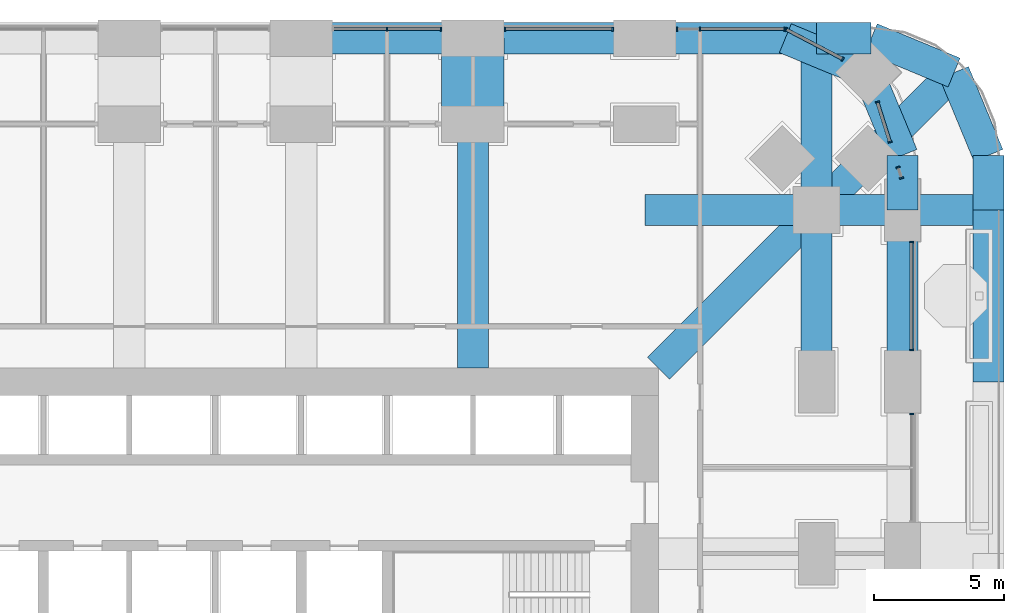
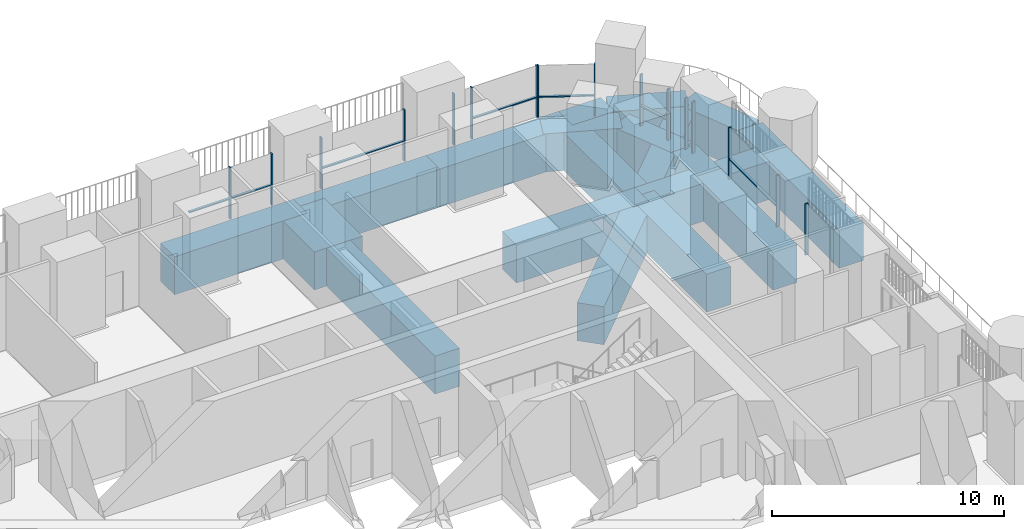
# One storey, part 8 of 27: 23 members, 20 beams, 8 elements without a shape of their own.
"""IFC4 building model written with IfcOpenShell, lengths in metres."""

from ifc_helpers import new_model, si_unit, direction, frame, origin, origin_2d, place, context, subcontext, project, spatial, rectangle, extrude, material, material_profile, profile_set, type_object, element, aggregate, save


model = new_model("IFC4")

# Units and contexts
model_context = context("Model", 3, precision=1e-05, world=origin(), true_north=direction((0.0, 1.0)))
body_context = subcontext(model_context, "Body", "Model", "MODEL_VIEW")
ifc_project = project(units=[si_unit("LENGTHUNIT", "METRE"), si_unit("AREAUNIT", "SQUARE_METRE"), si_unit("VOLUMEUNIT", "CUBIC_METRE"), si_unit("PLANEANGLEUNIT", "RADIAN"), si_unit("MASSUNIT", "GRAM", prefix="KILO")], contexts=[model_context])

# Site, building, storey
site_placement = place(None, origin())
site = spatial("IfcSite", under=ifc_project, at=site_placement, CompositionType="ELEMENT")
building_placement = place(site_placement, origin())
building = spatial("IfcBuilding", under=site, at=building_placement, Name="Cobogo Forest Laboratory Tower", CompositionType="ELEMENT")
storey_placement = place(building_placement, frame((0.0, 0.0, 82.199951171875)))
storey = spatial("IfcBuildingStorey", under=building, at=storey_placement, Name="L18", CompositionType="ELEMENT", Elevation=82.199951171875)

# Curtain wall, member
ifc_material_1 = material(Name="Aluminium curtain wall", Category="aluminium")
curtain_wall_type = type_object("IfcCurtainWallType", Name="CW-1 unitised curtain wall, clear glazing, laboratory floors zones A and B", PredefinedType="USERDEFINED", material=ifc_material_1)
curtain_wall_1_placement = place(storey_placement, origin())
curtain_wall_1 = element("IfcCurtainWall", 1, at=curtain_wall_1_placement, inside=storey, type_object=curtain_wall_type, Name="Curtain wall 13 L18", ObjectType="UNITISED CURTAIN WALL", PredefinedType="USERDEFINED")
ifc_material_2 = material(Name="Aluminium mullion", Category="aluminium")
ifc_material_profile_1 = material_profile(ifc_material_2, rectangle(XDim=0.06005859375, YDim=0.159912109375, at=origin_2d()), Name="AL 60x160")
ifc_profile_set_1 = profile_set([ifc_material_profile_1], Name="Aluminium mullion")
member_type_1 = type_object("IfcMemberType", Name="MU-1 aluminium mullion 60x160", PredefinedType="MULLION", material=ifc_profile_set_1)
member_1_placement = place(storey_placement, frame((49.85009765625, 31.77001953125, 0.0), z_axis=(0.0, 0.0, 1.0), x_axis=(0.0, 1.0, 0.0)))
member_1 = element("IfcMember", 2, at=member_1_placement, type_object=member_type_1, Name="CW-1 mullion 3", PredefinedType="MULLION", context=body_context, shape_type="SweptSolid", body=[
    extrude(rectangle(XDim=0.06005859375, YDim=0.159912109375, at=origin_2d()), origin(), (0.0, 0.0, 1.0), 2.699951171875),
])
aggregate(curtain_wall_1, [member_1])

# Curtain wall, members
curtain_wall_2_placement = place(storey_placement, origin())
curtain_wall_2 = element("IfcCurtainWall", 3, at=curtain_wall_2_placement, inside=storey, type_object=curtain_wall_type, Name="Curtain wall 14 L18", ObjectType="UNITISED CURTAIN WALL", PredefinedType="USERDEFINED")
member_2_placement = place(storey_placement, frame((49.85009765625, 34.22998046875, 0.0), z_axis=(0.0, 0.0, 1.0), x_axis=(0.0, 1.0, 0.0)))
member_2 = element("IfcMember", 4, at=member_2_placement, type_object=member_type_1, Name="CW-1 mullion 1", PredefinedType="MULLION", context=body_context, shape_type="SweptSolid", body=[
    extrude(rectangle(XDim=0.06005859375, YDim=0.159912109375, at=origin_2d()), origin(), (0.0, 0.0, 1.0), 2.699951171875),
])
member_3_placement = place(storey_placement, frame((49.85009765625, 38.3701171875, 0.0), z_axis=(0.0, 0.0, 1.0), x_axis=(0.0, 1.0, 0.0)))
member_3 = element("IfcMember", 5, at=member_3_placement, type_object=member_type_1, Name="CW-1 mullion 2", PredefinedType="MULLION", context=body_context, shape_type="SweptSolid", body=[
    extrude(rectangle(XDim=0.06005859375, YDim=0.159912109375, at=origin_2d()), origin(), (0.0, 0.0, 1.0), 2.699951171875),
])

curtain_wall_3_placement = place(storey_placement, origin())
curtain_wall_3 = element("IfcCurtainWall", 6, at=curtain_wall_3_placement, inside=storey, type_object=curtain_wall_type, Name="Curtain wall 15 L18", ObjectType="UNITISED CURTAIN WALL", PredefinedType="USERDEFINED")
member_4_placement = place(storey_placement, frame((49.4619140625, 40.82861328125, 0.0), z_axis=(0.0, 0.0, 1.0), x_axis=(-0.301134593201, 0.953581646624, 0.0)))
member_4 = element("IfcMember", 7, at=member_4_placement, type_object=member_type_1, Name="CW-1 mullion 1", PredefinedType="MULLION", context=body_context, shape_type="SweptSolid", body=[
    extrude(rectangle(XDim=0.06005859375, YDim=0.159912109375, at=origin_2d()), origin(), (0.0, 0.0, 1.0), 2.699951171875),
])
member_5_placement = place(storey_placement, frame((49.33251953125, 41.23828125, 0.0), z_axis=(0.0, 0.0, 1.0), x_axis=(-0.301134593201, 0.953581646624, 0.0)))
member_5 = element("IfcMember", 8, at=member_5_placement, type_object=member_type_1, Name="CW-1 mullion 2", PredefinedType="MULLION", context=body_context, shape_type="SweptSolid", body=[
    extrude(rectangle(XDim=0.06005859375, YDim=0.159912109375, at=origin_2d()), origin(), (0.0, 0.0, 1.0), 2.699951171875),
])
aggregate(curtain_wall_3, [member_4, member_5])

curtain_wall_4_placement = place(storey_placement, origin())
curtain_wall_4 = element("IfcCurtainWall", 9, at=curtain_wall_4_placement, inside=storey, type_object=curtain_wall_type, Name="Curtain wall 16 L18", ObjectType="UNITISED CURTAIN WALL", PredefinedType="USERDEFINED")
member_6_placement = place(storey_placement, frame((49.023681640625, 42.21630859375, 0.0), z_axis=(0.0, 0.0, 1.0), x_axis=(-0.301135106076, 0.953581484661, 0.0)))
member_6 = element("IfcMember", 10, at=member_6_placement, type_object=member_type_1, Name="CW-1 mullion 1", PredefinedType="MULLION", context=body_context, shape_type="SweptSolid", body=[
    extrude(rectangle(XDim=0.06005859375, YDim=0.159912109375, at=origin_2d()), origin(), (0.0, 0.0, 1.0), 2.699951171875),
])
member_7_placement = place(storey_placement, frame((48.54052734375, 43.746337890625, 0.0), z_axis=(0.0, 0.0, 1.0), x_axis=(-0.301135106076, 0.953581484661, 0.0)))
member_7 = element("IfcMember", 11, at=member_7_placement, type_object=member_type_1, Name="CW-1 mullion 2", PredefinedType="MULLION", context=body_context, shape_type="SweptSolid", body=[
    extrude(rectangle(XDim=0.06005859375, YDim=0.159912109375, at=origin_2d()), origin(), (0.0, 0.0, 1.0), 2.699951171875),
])

curtain_wall_5_placement = place(storey_placement, origin())
curtain_wall_5 = element("IfcCurtainWall", 12, at=curtain_wall_5_placement, inside=storey, type_object=curtain_wall_type, Name="Curtain wall 17 L18", ObjectType="UNITISED CURTAIN WALL", PredefinedType="USERDEFINED")
member_8_placement = place(storey_placement, frame((47.19970703125, 45.39697265625, 0.0), z_axis=(0.0, 0.0, 1.0), x_axis=(-0.885686598126, 0.4642835878, 0.0)))
member_8 = element("IfcMember", 13, at=member_8_placement, type_object=member_type_1, Name="CW-1 mullion 1", PredefinedType="MULLION", context=body_context, shape_type="SweptSolid", body=[
    extrude(rectangle(XDim=0.06005859375, YDim=0.159912109375, at=origin_2d()), origin(), (0.0, 0.0, 1.0), 2.699951171875),
])
member_9_placement = place(storey_placement, frame((45.026611328125, 46.5361328125, 0.0), z_axis=(0.0, 0.0, 1.0), x_axis=(-0.885686598126, 0.4642835878, 0.0)))
member_9 = element("IfcMember", 14, at=member_9_placement, type_object=member_type_1, Name="CW-1 mullion 2", PredefinedType="MULLION", context=body_context, shape_type="SweptSolid", body=[
    extrude(rectangle(XDim=0.06005859375, YDim=0.159912109375, at=origin_2d()), origin(), (0.0, 0.0, 1.0), 2.699951171875),
])

curtain_wall_6_placement = place(storey_placement, origin())
curtain_wall_6 = element("IfcCurtainWall", 15, at=curtain_wall_6_placement, inside=storey, type_object=curtain_wall_type, Name="Curtain wall 18 L18", ObjectType="UNITISED CURTAIN WALL", PredefinedType="USERDEFINED")
member_10_placement = place(storey_placement, frame((44.969970703125, 46.550048828125, 0.0), z_axis=(0.0, 0.0, 1.0), x_axis=(-1.0, 0.0, 0.0)))
member_10 = element("IfcMember", 16, at=member_10_placement, type_object=member_type_1, Name="CW-1 mullion 1", PredefinedType="MULLION", context=body_context, shape_type="SweptSolid", body=[
    extrude(rectangle(XDim=0.06005859375, YDim=0.159912109375, at=origin_2d()), origin(), (0.0, 0.0, 1.0), 2.699951171875),
])
member_11_placement = place(storey_placement, frame((41.72509765625, 46.550048828125, 0.0), z_axis=(0.0, 0.0, 1.0), x_axis=(-1.0, 0.0, 0.0)))
member_11 = element("IfcMember", 17, at=member_11_placement, type_object=member_type_1, Name="CW-1 mullion 2", PredefinedType="MULLION", context=body_context, shape_type="SweptSolid", body=[
    extrude(rectangle(XDim=0.06005859375, YDim=0.159912109375, at=origin_2d()), origin(), (0.0, 0.0, 1.0), 2.699951171875),
])
member_12_placement = place(storey_placement, frame((40.830078125, 46.550048828125, 0.0), z_axis=(0.0, 0.0, 1.0), x_axis=(-1.0, 0.0, 0.0)))
member_12 = element("IfcMember", 18, at=member_12_placement, type_object=member_type_1, Name="CW-1 mullion 3", PredefinedType="MULLION", context=body_context, shape_type="SweptSolid", body=[
    extrude(rectangle(XDim=0.06005859375, YDim=0.159912109375, at=origin_2d()), origin(), (0.0, 0.0, 1.0), 2.699951171875),
])

curtain_wall_7_placement = place(storey_placement, origin())
curtain_wall_7 = element("IfcCurtainWall", 19, at=curtain_wall_7_placement, inside=storey, type_object=curtain_wall_type, Name="Curtain wall 19 L18", ObjectType="UNITISED CURTAIN WALL", PredefinedType="USERDEFINED")
member_13_placement = place(storey_placement, frame((38.3701171875, 46.550048828125, 0.0), z_axis=(0.0, 0.0, 1.0), x_axis=(-1.0, 0.0, 0.0)))
member_13 = element("IfcMember", 20, at=member_13_placement, type_object=member_type_1, Name="CW-1 mullion 1", PredefinedType="MULLION", context=body_context, shape_type="SweptSolid", body=[
    extrude(rectangle(XDim=0.06005859375, YDim=0.159912109375, at=origin_2d()), origin(), (0.0, 0.0, 1.0), 2.699951171875),
])
member_14_placement = place(storey_placement, frame((34.22998046875, 46.550048828125, 0.0), z_axis=(0.0, 0.0, 1.0), x_axis=(-1.0, 0.0, 0.0)))
member_14 = element("IfcMember", 21, at=member_14_placement, type_object=member_type_1, Name="CW-1 mullion 2", PredefinedType="MULLION", context=body_context, shape_type="SweptSolid", body=[
    extrude(rectangle(XDim=0.06005859375, YDim=0.159912109375, at=origin_2d()), origin(), (0.0, 0.0, 1.0), 2.699951171875),
])

curtain_wall_8_placement = place(storey_placement, origin())
curtain_wall_8 = element("IfcCurtainWall", 22, at=curtain_wall_8_placement, inside=storey, type_object=curtain_wall_type, Name="Curtain wall 20 L18", ObjectType="UNITISED CURTAIN WALL", PredefinedType="USERDEFINED")
member_15_placement = place(storey_placement, frame((31.77001953125, 46.550048828125, 0.0), z_axis=(0.0, 0.0, 1.0), x_axis=(-1.0, 0.0, 0.0)))
member_15 = element("IfcMember", 23, at=member_15_placement, type_object=member_type_1, Name="CW-1 mullion 1", PredefinedType="MULLION", context=body_context, shape_type="SweptSolid", body=[
    extrude(rectangle(XDim=0.06005859375, YDim=0.159912109375, at=origin_2d()), origin(), (0.0, 0.0, 1.0), 2.699951171875),
])
member_16_placement = place(storey_placement, frame((29.699951171875, 46.550048828125, 0.0), z_axis=(0.0, 0.0, 1.0), x_axis=(-1.0, 0.0, 0.0)))
member_16 = element("IfcMember", 24, at=member_16_placement, type_object=member_type_1, Name="CW-1 mullion 2", PredefinedType="MULLION", context=body_context, shape_type="SweptSolid", body=[
    extrude(rectangle(XDim=0.06005859375, YDim=0.159912109375, at=origin_2d()), origin(), (0.0, 0.0, 1.0), 2.699951171875),
])

# Beams
ifc_material_3 = material(Name="Concrete HA-50 (C50/60)", Category="concrete")
ifc_material_profile_2 = material_profile(ifc_material_3, rectangle(XDim=2.39990234375, YDim=2.0, at=origin_2d()), Name="RC 2400x2000")
ifc_profile_set_2 = profile_set([ifc_material_profile_2], Name="Concrete HA-50 (C50/60)")
beam_type_1 = type_object("IfcBeamType", Name="Setback floor end-bay girder 2400x2000", PredefinedType="BEAM", material=ifc_profile_set_2)
beam_1_placement = place(storey_placement, frame((33.0, 46.199951171875, -1.300048828125), z_axis=(0.0, -1.0, 0.0), x_axis=(1.0, 0.0, 0.0)))
element("IfcBeam", 25, at=beam_1_placement, inside=storey, type_object=beam_type_1, Name="TG3 R-6-N-X L18", PredefinedType="BEAM", context=body_context, shape_type="SweptSolid", body=[
    extrude(rectangle(XDim=2.39990234375, YDim=2.0, at=origin_2d()), origin(), (0.0, 0.0, 1.0), 3.300048828125),
])
ifc_material_4 = material(Name="Concrete HA-40 (C40/50)", Category="concrete")
ifc_material_profile_3 = material_profile(ifc_material_4, rectangle(XDim=1.199951171875, YDim=2.0, at=origin_2d()), Name="RC 1200x2000")
ifc_profile_set_3 = profile_set([ifc_material_profile_3], Name="Concrete HA-40 (C40/50)")
beam_type_2 = type_object("IfcBeamType", Name="Setback floor girder 1200x2000", PredefinedType="BEAM", material=ifc_profile_set_3)
beam_2_placement = place(storey_placement, frame((33.0, 33.52490234375, -1.300048828125), z_axis=(0.0, 1.0, 0.0), x_axis=(-1.0, 0.0, 0.0)))
element("IfcBeam", 26, at=beam_2_placement, inside=storey, type_object=beam_type_2, Name="TG2 R-6-N L18", PredefinedType="BEAM", context=body_context, shape_type="SweptSolid", body=[
    extrude(rectangle(XDim=1.199951171875, YDim=2.0, at=origin_2d()), origin(), (0.0, 0.0, 1.0), 9.375),
])
beam_3_placement = place(storey_placement, frame((46.199951171875, 46.199951171875, -1.300048828125), z_axis=(0.0, -1.0, 0.0), x_axis=(1.0, 0.0, 0.0)))
element("IfcBeam", 27, at=beam_3_placement, inside=storey, type_object=beam_type_2, Name="TG2 G-NE-XF L18", PredefinedType="BEAM", context=body_context, shape_type="SweptSolid", body=[
    extrude(rectangle(XDim=1.199951171875, YDim=2.0, at=origin_2d()), origin(), (0.0, 0.0, 1.0), 6.599853515625),
])
for number, where, z_axis, x_axis, name in (
    (28, (46.199951171875, 39.60009765625, -1.300048828125), (0.0, -1.0, 0.0), (1.0, 0.0, 0.0), "TG2 G-NE-XC L18"),
    (29, (52.800048828125, 39.60009765625, -1.300048828125), (-1.0, 0.0, 0.0), (0.0, -1.0, 0.0), "TG2 G-NE-YF L18"),
):
    element("IfcBeam", number, at=place(storey_placement, frame(where, z_axis=z_axis, x_axis=x_axis)), inside=storey, type_object=beam_type_2, Name=name, PredefinedType="BEAM", context=body_context, shape_type="SweptSolid", body=[
        extrude(rectangle(XDim=1.199951171875, YDim=2.0, at=origin_2d()), origin(), (0.0, 0.0, 1.0), 6.60009765625),
    ])
beam_4_placement = place(storey_placement, frame((46.199951171875, 39.60009765625, -1.300048828125), z_axis=(-1.0, 0.0, 0.0), x_axis=(0.0, -1.0, 0.0)))
element("IfcBeam", 30, at=beam_4_placement, inside=storey, type_object=beam_type_2, Name="TG2 G-NE-YC L18", PredefinedType="BEAM", context=body_context, shape_type="SweptSolid", body=[
    extrude(rectangle(XDim=1.199951171875, YDim=2.0, at=origin_2d()), origin(), (0.0, 0.0, 1.0), 6.599853515625),
])
beam_5_placement = place(storey_placement, frame((51.48193359375, 44.882080078125, -1.300048828125), z_axis=(-0.707106781187, -0.707106781187, 0.0), x_axis=(0.707106781187, -0.707106781187, 0.0)))
element("IfcBeam", 31, at=beam_5_placement, inside=storey, type_object=beam_type_2, Name="TG2 G-NE-D1 L18", PredefinedType="BEAM", context=body_context, shape_type="SweptSolid", body=[
    extrude(rectangle(XDim=1.199951171875, YDim=2.0, at=origin_2d()), origin(), (0.0, 0.0, 1.0), 7.469970703125),
])
beam_6_placement = place(storey_placement, frame((46.199951171875, 39.60009765625, -1.300048828125), z_axis=(-0.707092572697, -0.70712098939, 0.0), x_axis=(0.70712098939, -0.707092572697, 0.0)))
element("IfcBeam", 32, at=beam_6_placement, inside=storey, type_object=beam_type_2, Name="TG2 G-NE-D2 L18", PredefinedType="BEAM", context=body_context, shape_type="SweptSolid", body=[
    extrude(rectangle(XDim=1.199951171875, YDim=2.0, at=origin_2d()), origin(), (0.0, 0.0, 1.0), 8.591552734375),
])
for number, where, z_axis, x_axis, name in (
    (33, (52.800048828125, 33.0, -1.300048828125), (0.0, 1.0, 0.0), (-1.0, 0.0, 0.0), "TG2 E-E5 L18"),
    (34, (26.39990234375, 46.199951171875, -1.300048828125), (1.0, 0.0, 0.0), (0.0, 1.0, 0.0), "TG2 E-N4 L18"),
    (35, (33.0, 46.199951171875, -1.300048828125), (1.0, 0.0, 0.0), (0.0, 1.0, 0.0), "TG2 E-N5 L18"),
):
    element("IfcBeam", number, at=place(storey_placement, frame(where, z_axis=z_axis, x_axis=x_axis)), inside=storey, type_object=beam_type_2, Name=name, PredefinedType="BEAM", context=body_context, shape_type="SweptSolid", body=[
        extrude(rectangle(XDim=1.199951171875, YDim=2.0, at=origin_2d()), origin(), (0.0, 0.0, 1.0), 6.60009765625),
    ])
beam_7_placement = place(storey_placement, frame((39.60009765625, 46.199951171875, -1.300048828125), z_axis=(1.0, 0.0, 0.0), x_axis=(0.0, 1.0, 0.0)))
element("IfcBeam", 36, at=beam_7_placement, inside=storey, type_object=beam_type_2, Name="TG2 E-N6 L18", PredefinedType="BEAM", context=body_context, shape_type="SweptSolid", body=[
    extrude(rectangle(XDim=1.199951171875, YDim=2.0, at=origin_2d()), origin(), (0.0, 0.0, 1.0), 6.599853515625),
])
beam_8_placement = place(storey_placement, frame((52.800048828125, 39.60009765625, -1.300048828125), z_axis=(0.0, 1.0, 0.0), x_axis=(-1.0, 0.0, 0.0)))
element("IfcBeam", 37, at=beam_8_placement, inside=storey, type_object=beam_type_2, Name="TG2 E-NEE1 L18", PredefinedType="BEAM", context=body_context, shape_type="SweptSolid", body=[
    extrude(rectangle(XDim=1.199951171875, YDim=2.0, at=origin_2d()), origin(), (0.0, 0.0, 1.0), 2.099853515625),
])
beam_9_placement = place(storey_placement, frame((52.800048828125, 41.699951171875, -1.300048828125), z_axis=(-0.382691928466, 0.923876013265, 0.0), x_axis=(-0.923876013265, -0.382691928466, 0.0)))
element("IfcBeam", 38, at=beam_9_placement, inside=storey, type_object=beam_type_2, Name="TG2 E-NEE2 L18", PredefinedType="BEAM", context=body_context, shape_type="SweptSolid", body=[
    extrude(rectangle(XDim=1.199951171875, YDim=2.0, at=origin_2d()), origin(), (0.0, 0.0, 1.0), 3.4443359375),
])
beam_10_placement = place(storey_placement, frame((46.199951171875, 46.199951171875, -1.300048828125), z_axis=(1.0, 0.0, 0.0), x_axis=(0.0, 1.0, 0.0)))
element("IfcBeam", 39, at=beam_10_placement, inside=storey, type_object=beam_type_2, Name="TG2 E-NEN1 L18", PredefinedType="BEAM", context=body_context, shape_type="SweptSolid", body=[
    extrude(rectangle(XDim=1.199951171875, YDim=2.0, at=origin_2d()), origin(), (0.0, 0.0, 1.0), 2.10009765625),
])
beam_11_placement = place(storey_placement, frame((48.300048828125, 46.199951171875, -1.300048828125), z_axis=(0.923890694089, -0.382656484822, 0.0), x_axis=(0.382656484822, 0.923890694089, 0.0)))
element("IfcBeam", 40, at=beam_11_placement, inside=storey, type_object=beam_type_2, Name="TG2 E-NEN2 L18", PredefinedType="BEAM", context=body_context, shape_type="SweptSolid", body=[
    extrude(rectangle(XDim=1.199951171875, YDim=2.0, at=origin_2d()), origin(), (0.0, 0.0, 1.0), 3.444091796875),
])
beam_12_placement = place(storey_placement, frame((49.5, 33.0, -1.300048828125), z_axis=(0.0, 1.0, 0.0), x_axis=(-1.0, 0.0, 0.0)))
element("IfcBeam", 41, at=beam_12_placement, inside=storey, type_object=beam_type_2, Name="TG2 UE-E5 L18", PredefinedType="BEAM", context=body_context, shape_type="SweptSolid", body=[
    extrude(rectangle(XDim=1.199951171875, YDim=2.0, at=origin_2d()), origin(), (0.0, 0.0, 1.0), 6.60009765625),
])
beam_13_placement = place(storey_placement, frame((49.5, 39.60009765625, -1.300048828125), z_axis=(0.0, 1.0, 0.0), x_axis=(-1.0, 0.0, 0.0)))
element("IfcBeam", 42, at=beam_13_placement, inside=storey, type_object=beam_type_2, Name="TG2 UE-NEE1 L18", PredefinedType="BEAM", context=body_context, shape_type="SweptSolid", body=[
    extrude(rectangle(XDim=1.199951171875, YDim=2.0, at=origin_2d()), origin(), (0.0, 0.0, 1.0), 2.099853515625),
])
beam_14_placement = place(storey_placement, frame((49.5, 41.699951171875, -1.300048828125), z_axis=(-0.382691928466, 0.923876013265, 0.0), x_axis=(-0.923876013265, -0.382691928466, 0.0)))
element("IfcBeam", 43, at=beam_14_placement, inside=storey, type_object=beam_type_2, Name="TG2 UE-NEE2 L18", PredefinedType="BEAM", context=body_context, shape_type="SweptSolid", body=[
    extrude(rectangle(XDim=1.199951171875, YDim=2.0, at=origin_2d()), origin(), (0.0, 0.0, 1.0), 3.4443359375),
])
beam_15_placement = place(storey_placement, frame((45.0, 46.199951171875, -1.300048828125), z_axis=(0.923890694089, -0.382656484822, 0.0), x_axis=(0.382656484822, 0.923890694089, 0.0)))
element("IfcBeam", 44, at=beam_15_placement, inside=storey, type_object=beam_type_2, Name="TG2 UE-NEN2 L18", PredefinedType="BEAM", context=body_context, shape_type="SweptSolid", body=[
    extrude(rectangle(XDim=1.199951171875, YDim=2.0, at=origin_2d()), origin(), (0.0, 0.0, 1.0), 3.444091796875),
])

# Member
ifc_material_5 = material(Name="Aluminium transom", Category="aluminium")
ifc_material_profile_4 = material_profile(ifc_material_5, rectangle(XDim=0.1201171875, YDim=0.06005859375, at=origin_2d()), Name="AL 60x120")
ifc_profile_set_4 = profile_set([ifc_material_profile_4], Name="Aluminium transom")
member_type_2 = type_object("IfcMemberType", Name="TR-1 aluminium transom 60x120", PredefinedType="USERDEFINED", material=ifc_profile_set_4)
member_17_placement = place(storey_placement, frame((49.85009765625, 34.260009765625, 1.050048828125), z_axis=(0.0, 1.0, 0.0), x_axis=(-1.0, 0.0, 0.0)))
member_17 = element("IfcMember", 45, at=member_17_placement, type_object=member_type_2, Name="CW-1 transom 1.1", ObjectType="TRANSOM", PredefinedType="USERDEFINED", context=body_context, shape_type="SweptSolid", body=[
    extrude(rectangle(XDim=0.1201171875, YDim=0.06005859375, at=origin_2d()), origin(), (0.0, 0.0, 1.0), 4.080078125),
])

aggregate(curtain_wall_2, [member_2, member_3, member_17])

member_18_placement = place(storey_placement, frame((49.0146484375, 42.2451171875, 1.050048828125), z_axis=(-0.301154065356, 0.953575497231, 0.0), x_axis=(-0.953575497231, -0.301154065356, 0.0)))
member_18 = element("IfcMember", 46, at=member_18_placement, type_object=member_type_2, Name="CW-1 transom 1.1", ObjectType="TRANSOM", PredefinedType="USERDEFINED", context=body_context, shape_type="SweptSolid", body=[
    extrude(rectangle(XDim=0.1201171875, YDim=0.06005859375, at=origin_2d()), origin(), (0.0, 0.0, 1.0), 1.54443359375),
])

aggregate(curtain_wall_4, [member_6, member_7, member_18])

member_19_placement = place(storey_placement, frame((47.173095703125, 45.410888671875, 1.050048828125), z_axis=(-0.885673763863, 0.464308070149, 0.0), x_axis=(-0.464308070149, -0.885673763863, 0.0)))
member_19 = element("IfcMember", 47, at=member_19_placement, type_object=member_type_2, Name="CW-1 transom 1.1", ObjectType="TRANSOM", PredefinedType="USERDEFINED", context=body_context, shape_type="SweptSolid", body=[
    extrude(rectangle(XDim=0.1201171875, YDim=0.06005859375, at=origin_2d()), origin(), (0.0, 0.0, 1.0), 2.3935546875),
])

aggregate(curtain_wall_5, [member_8, member_9, member_19])

member_20_placement = place(storey_placement, frame((44.93994140625, 46.550048828125, 1.050048828125), z_axis=(-1.0, 0.0, 0.0), x_axis=(0.0, -1.0, 0.0)))
member_20 = element("IfcMember", 48, at=member_20_placement, type_object=member_type_2, Name="CW-1 transom 1.1", ObjectType="TRANSOM", PredefinedType="USERDEFINED", context=body_context, shape_type="SweptSolid", body=[
    extrude(rectangle(XDim=0.1201171875, YDim=0.06005859375, at=origin_2d()), origin(), (0.0, 0.0, 1.0), 3.18505859375),
])

aggregate(curtain_wall_6, [member_10, member_11, member_12, member_20])

member_21_placement = place(storey_placement, frame((38.340087890625, 46.550048828125, 1.050048828125), z_axis=(-1.0, 0.0, 0.0), x_axis=(0.0, -1.0, 0.0)))
member_21 = element("IfcMember", 49, at=member_21_placement, type_object=member_type_2, Name="CW-1 transom 1.1", ObjectType="TRANSOM", PredefinedType="USERDEFINED", context=body_context, shape_type="SweptSolid", body=[
    extrude(rectangle(XDim=0.1201171875, YDim=0.06005859375, at=origin_2d()), origin(), (0.0, 0.0, 1.0), 4.080078125),
])

aggregate(curtain_wall_7, [member_13, member_14, member_21])

member_22_placement = place(storey_placement, frame((31.739990234375, 46.550048828125, 1.050048828125), z_axis=(-1.0, 0.0, 0.0), x_axis=(0.0, -1.0, 0.0)))
member_22 = element("IfcMember", 50, at=member_22_placement, type_object=member_type_2, Name="CW-1 transom 1.1", ObjectType="TRANSOM", PredefinedType="USERDEFINED", context=body_context, shape_type="SweptSolid", body=[
    extrude(rectangle(XDim=0.1201171875, YDim=0.06005859375, at=origin_2d()), origin(), (0.0, 0.0, 1.0), 2.010009765625),
])

member_23_placement = place(storey_placement, frame((29.669921875, 46.550048828125, 1.050048828125), z_axis=(-1.0, 0.0, 0.0), x_axis=(0.0, -1.0, 0.0)))
member_23 = element("IfcMember", 51, at=member_23_placement, type_object=member_type_2, Name="CW-1 transom 2.1", ObjectType="TRANSOM", PredefinedType="USERDEFINED", context=body_context, shape_type="SweptSolid", body=[
    extrude(rectangle(XDim=0.1201171875, YDim=0.06005859375, at=origin_2d()), origin(), (0.0, 0.0, 1.0), 2.010009765625),
])

aggregate(curtain_wall_8, [member_15, member_16, member_22, member_23])

save(model, "model.ifc")
